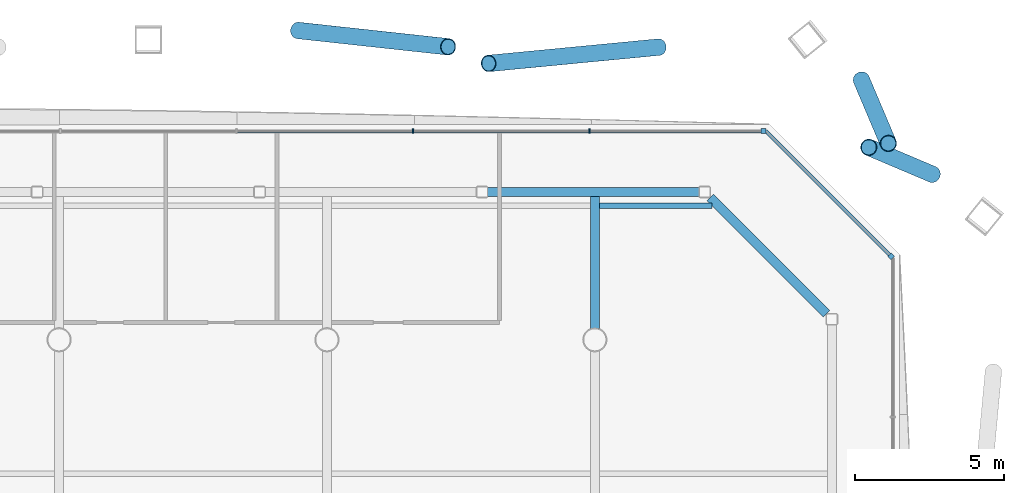
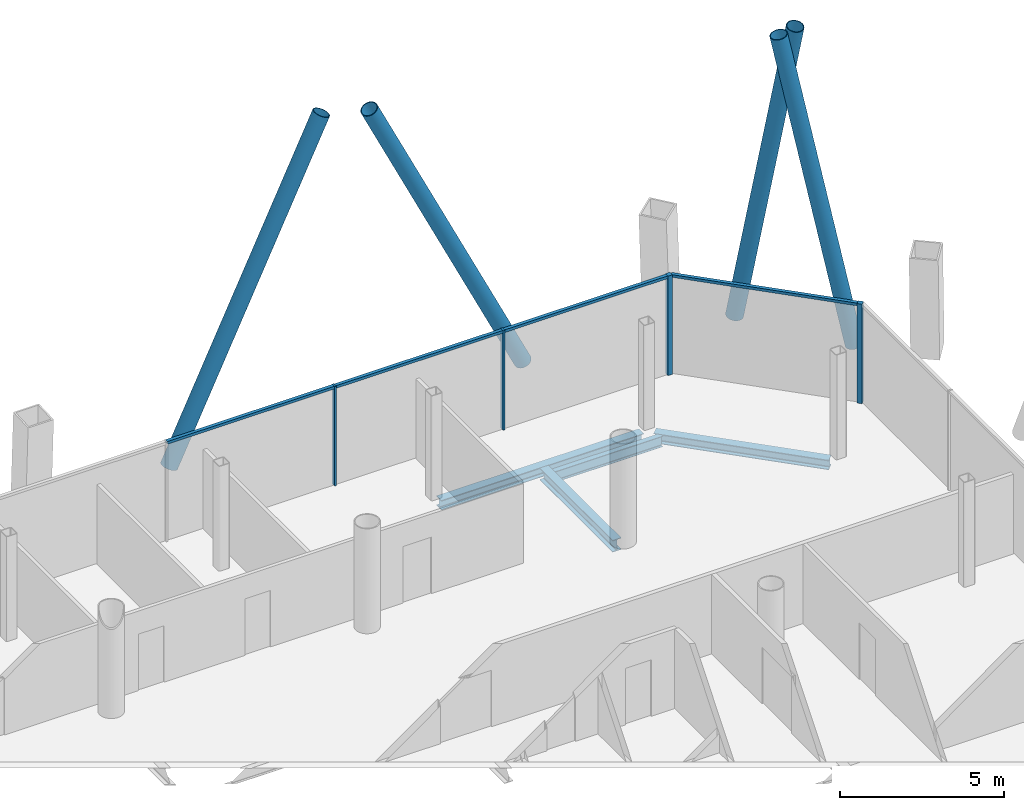
# One storey, part 12 of 22: 12 members, 4 beams, 2 elements without a shape of their own.
"""IFC4 building model written with IfcOpenShell, lengths in metres."""

from ifc_helpers import new_model, si_unit, direction, frame, origin, origin_2d, place, context, subcontext, project, spatial, rectangle, hollow_circle, i_section, extrude, material, material_profile, profile_set, type_object, element, aggregate, save


model = new_model("IFC4")

# Units and contexts
model_context = context("Model", 3, precision=1e-05, world=origin(), true_north=direction((0.0, 1.0)))
body_context = subcontext(model_context, "Body", "Model", "MODEL_VIEW")
ifc_project = project(units=[si_unit("LENGTHUNIT", "METRE"), si_unit("AREAUNIT", "SQUARE_METRE"), si_unit("VOLUMEUNIT", "CUBIC_METRE"), si_unit("PLANEANGLEUNIT", "RADIAN"), si_unit("MASSUNIT", "GRAM", prefix="KILO")], contexts=[model_context])

# Site, building, storey
site_placement = place(None, origin())
site = spatial("IfcSite", under=ifc_project, at=site_placement, CompositionType="ELEMENT")
building_placement = place(site_placement, origin())
building = spatial("IfcBuilding", under=site, at=building_placement, Name="Tskaro Facet Tower", CompositionType="ELEMENT")
storey_placement = place(building_placement, frame((0.0, 0.0, 73.800048828125)))
storey = spatial("IfcBuildingStorey", under=building, at=storey_placement, Name="L17", CompositionType="ELEMENT", Elevation=73.800048828125)

# Members
ifc_material_1 = material(Name="Steel S355J2H", Category="steel")
ifc_material_profile_1 = material_profile(ifc_material_1, hollow_circle(Radius=0.279541015625, WallThickness=0.02490234375, at=origin_2d()), Name="CHS 559x25")
ifc_profile_set_1 = profile_set([ifc_material_profile_1], Name="Steel S355J2H")
member_type_1 = type_object("IfcMemberType", Name="CHS 559x25 brace", PredefinedType="BRACE", material=ifc_profile_set_1)
for number, where, z_axis, x_axis, name in (
    (1, (29.331787109375, 23.5634765625, 0.0), (-0.178546183977, 0.075619078607, 0.98102141421), (-0.389991258471, -0.920818558847, 0.0), "CHS 559x25 XB06A/2"),
    (2, (26.958740234375, 26.72705078125, 0.0), (0.075619078607, -0.178546183977, 0.98102141421), (0.920818558847, 0.389991258471, 0.0), "CHS 559x25 XB06B/2"),
):
    element("IfcMember", number, at=place(storey_placement, frame(where, z_axis=z_axis, x_axis=x_axis)), inside=storey, type_object=member_type_1, Name=name, PredefinedType="BRACE", context=body_context, shape_type="SweptSolid", body=[
        extrude(hollow_circle(Radius=0.279541015625, WallThickness=0.02490234375, at=origin_2d()), origin(), (0.0, 0.0, 1.0), 11.92626953125),
    ])
member_1_placement = place(storey_placement, frame((20.144287109375, 27.83154296875, 0.0), z_axis=(-0.43850367789, -0.042055739784, 0.897744863103), x_axis=(0.095469312995, -0.995432373532, 0.0)))
element("IfcMember", 3, at=member_1_placement, inside=storey, type_object=member_type_1, Name="CHS 559x25 XB07A/2", PredefinedType="BRACE", context=body_context, shape_type="SweptSolid", body=[
    extrude(hollow_circle(Radius=0.279541015625, WallThickness=0.02490234375, at=origin_2d()), origin(), (0.0, 0.0, 1.0), 13.03271484375),
])
member_2_placement = place(storey_placement, frame((8.03515625, 28.390380859375, 0.0), z_axis=(0.394955527228, -0.042971161362, 0.917694726368), x_axis=(0.108161704545, 0.994133313832, 0.0)))
element("IfcMember", 4, at=member_2_placement, inside=storey, type_object=member_type_1, Name="CHS 559x25 XB07B/2", PredefinedType="BRACE", context=body_context, shape_type="SweptSolid", body=[
    extrude(hollow_circle(Radius=0.279541015625, WallThickness=0.02490234375, at=origin_2d()), origin(), (0.0, 0.0, 1.0), 12.749267578125),
])

# Curtain wall, member
ifc_material_2 = material(Name="Bronze anodised aluminium 6063-T6", Category="aluminium")
curtain_wall_type = type_object("IfcCurtainWallType", Name="Bronze office curtain wall (FW1)", PredefinedType="NOTDEFINED", material=ifc_material_2)
curtain_wall_1_placement = place(storey_placement, origin())
curtain_wall_1 = element("IfcCurtainWall", 5, at=curtain_wall_1_placement, inside=storey, type_object=curtain_wall_type, Name="FW1 north-east facet L17", PredefinedType="NOTDEFINED")
ifc_material_profile_2 = material_profile(ifc_material_2, rectangle(XDim=0.159912109375, YDim=0.159912109375, at=origin_2d()), Name="Corner post 160x160")
ifc_profile_set_2 = profile_set([ifc_material_profile_2], Name="Bronze anodised aluminium 6063-T6")
member_type_2 = type_object("IfcMemberType", Name="FW1 bronze corner post 160x160", PredefinedType="MULLION", material=ifc_profile_set_2)
member_3_placement = place(storey_placement, frame((27.954345703125, 20.800537109375, 0.0), z_axis=(0.0, 0.0, 1.0), x_axis=(-0.707106781187, 0.707106781187, 0.0)))
member_3 = element("IfcMember", 6, at=member_3_placement, type_object=member_type_2, Name="FW1 north-east corner post", PredefinedType="MULLION", context=body_context, shape_type="SweptSolid", body=[
    extrude(rectangle(XDim=0.159912109375, YDim=0.159912109375, at=origin_2d()), origin(), (0.0, 0.0, 1.0), 3.699951171875),
])

# Curtain wall, members
curtain_wall_2_placement = place(storey_placement, origin())
curtain_wall_2 = element("IfcCurtainWall", 7, at=curtain_wall_2_placement, inside=storey, type_object=curtain_wall_type, Name="FW1 north facet L17", PredefinedType="NOTDEFINED")
member_4_placement = place(storey_placement, frame((23.6640625, 25.010986328125, 0.0), z_axis=(0.0, 0.0, 1.0), x_axis=(-1.0, 0.0, 0.0)))
member_4 = element("IfcMember", 8, at=member_4_placement, type_object=member_type_2, Name="FW1 north corner post", PredefinedType="MULLION", context=body_context, shape_type="SweptSolid", body=[
    extrude(rectangle(XDim=0.159912109375, YDim=0.159912109375, at=origin_2d()), origin(), (0.0, 0.0, 1.0), 3.699951171875),
])
ifc_material_profile_3 = material_profile(ifc_material_2, rectangle(XDim=0.06005859375, YDim=0.159912109375, at=origin_2d()), Name="Mullion 60x160")
ifc_profile_set_3 = profile_set([ifc_material_profile_3], Name="Bronze anodised aluminium 6063-T6")
member_type_3 = type_object("IfcMemberType", Name="FW1 bronze mullion 60x160", PredefinedType="MULLION", material=ifc_profile_set_3)
member_5_placement = place(storey_placement, frame((17.817138671875, 25.010986328125, 0.0), z_axis=(0.0, 0.0, 1.0), x_axis=(-1.0, 0.0, 0.0)))
member_5 = element("IfcMember", 9, at=member_5_placement, type_object=member_type_3, Name="FW1 north mullion 1", PredefinedType="MULLION", context=body_context, shape_type="SweptSolid", body=[
    extrude(rectangle(XDim=0.06005859375, YDim=0.159912109375, at=origin_2d()), origin(), (0.0, 0.0, 1.0), 3.699951171875),
])
member_6_placement = place(storey_placement, frame((11.890380859375, 25.010986328125, 0.0), z_axis=(0.0, 0.0, 1.0), x_axis=(-1.0, 0.0, 0.0)))
member_6 = element("IfcMember", 10, at=member_6_placement, type_object=member_type_3, Name="FW1 north mullion 2", PredefinedType="MULLION", context=body_context, shape_type="SweptSolid", body=[
    extrude(rectangle(XDim=0.06005859375, YDim=0.159912109375, at=origin_2d()), origin(), (0.0, 0.0, 1.0), 3.699951171875),
])

# Member
ifc_material_profile_4 = material_profile(ifc_material_2, rectangle(XDim=0.1201171875, YDim=0.10009765625, at=origin_2d()), Name="Transom 120x100")
ifc_profile_set_4 = profile_set([ifc_material_profile_4], Name="Bronze anodised aluminium 6063-T6")
member_type_4 = type_object("IfcMemberType", Name="FW1 bronze transom 120x100", PredefinedType="USERDEFINED", material=ifc_profile_set_4)
member_7_placement = place(storey_placement, frame((27.89794921875, 20.857177734375, 3.64990234375), z_axis=(-0.707127560416, 0.707086001347, 0.0), x_axis=(-0.707086001347, -0.707127560416, 0.0)))
member_7 = element("IfcMember", 11, at=member_7_placement, type_object=member_type_4, Name="FW1 north-east transom 1.1", ObjectType="TRANSOM", PredefinedType="USERDEFINED", context=body_context, shape_type="SweptSolid", body=[
    extrude(rectangle(XDim=0.1201171875, YDim=0.10009765625, at=origin_2d()), origin(), (0.0, 0.0, 1.0), 5.87451171875),
])

aggregate(curtain_wall_1, [member_3, member_7])

member_8_placement = place(storey_placement, frame((23.583984375, 25.010986328125, 3.64990234375), z_axis=(-1.0, 0.0, 0.0), x_axis=(0.0, -1.0, 0.0)))
member_8 = element("IfcMember", 12, at=member_8_placement, type_object=member_type_4, Name="FW1 north transom 1.1", ObjectType="TRANSOM", PredefinedType="USERDEFINED", context=body_context, shape_type="SweptSolid", body=[
    extrude(rectangle(XDim=0.1201171875, YDim=0.10009765625, at=origin_2d()), origin(), (0.0, 0.0, 1.0), 5.73681640625),
])

member_9_placement = place(storey_placement, frame((17.787109375, 25.010986328125, 3.64990234375), z_axis=(-1.0, 0.0, 0.0), x_axis=(0.0, -1.0, 0.0)))
member_9 = element("IfcMember", 13, at=member_9_placement, type_object=member_type_4, Name="FW1 north transom 2.1", ObjectType="TRANSOM", PredefinedType="USERDEFINED", context=body_context, shape_type="SweptSolid", body=[
    extrude(rectangle(XDim=0.1201171875, YDim=0.10009765625, at=origin_2d()), origin(), (0.0, 0.0, 1.0), 5.866943359375),
])

member_10_placement = place(storey_placement, frame((11.8603515625, 25.010986328125, 3.64990234375), z_axis=(-1.0, 0.0, 0.0), x_axis=(0.0, -1.0, 0.0)))
member_10 = element("IfcMember", 14, at=member_10_placement, type_object=member_type_4, Name="FW1 north transom 3.1", ObjectType="TRANSOM", PredefinedType="USERDEFINED", context=body_context, shape_type="SweptSolid", body=[
    extrude(rectangle(XDim=0.1201171875, YDim=0.10009765625, at=origin_2d()), origin(), (0.0, 0.0, 1.0), 5.866943359375),
])

aggregate(curtain_wall_2, [member_4, member_5, member_6, member_8, member_9, member_10])

# Beams
ifc_material_3 = material(Name="Steel S355J2", Category="steel")
ifc_material_profile_5 = material_profile(ifc_material_3, i_section(OverallWidth=0.300048828125, OverallDepth=0.360107421875, WebThickness=0.012451171875, FlangeThickness=0.0224609375, FilletRadius=0.027099609375, at=origin_2d()), Name="HE 360 B")
ifc_profile_set_5 = profile_set([ifc_material_profile_5], Name="Steel S355J2")
beam_type_1 = type_object("IfcBeamType", Name="HE 360 B ring beam", PredefinedType="BEAM", material=ifc_profile_set_5)
beam_1_placement = place(storey_placement, frame((25.779052734375, 18.8759765625, -0.320068359375), z_axis=(-0.707106781187, 0.707106781187, 0.0), x_axis=(-0.707106781187, -0.707106781187, 0.0)))
element("IfcBeam", 15, at=beam_1_placement, inside=storey, type_object=beam_type_1, Name="HE 360 B EB12-2", PredefinedType="BEAM", context=body_context, shape_type="SweptSolid", body=[
    extrude(i_section(OverallWidth=0.300048828125, OverallDepth=0.360107421875, WebThickness=0.012451171875, FlangeThickness=0.0224609375, FilletRadius=0.027099609375, at=origin_2d()), origin(), (0.0, 0.0, 1.0), 5.519775390625),
])
beam_2_placement = place(storey_placement, frame((21.510009765625, 22.965087890625, -0.320068359375), z_axis=(-1.0, 0.0, 0.0), x_axis=(0.0, -1.0, 0.0)))
element("IfcBeam", 16, at=beam_2_placement, inside=storey, type_object=beam_type_1, Name="HE 360 B EB13-2", PredefinedType="BEAM", context=body_context, shape_type="SweptSolid", body=[
    extrude(i_section(OverallWidth=0.300048828125, OverallDepth=0.360107421875, WebThickness=0.012451171875, FlangeThickness=0.0224609375, FilletRadius=0.027099609375, at=origin_2d()), origin(), (0.0, 0.0, 1.0), 7.115966796875),
])
ifc_material_profile_6 = material_profile(ifc_material_3, i_section(OverallWidth=0.300048828125, OverallDepth=0.43994140625, WebThickness=0.011474609375, FlangeThickness=0.02099609375, FilletRadius=0.027099609375, at=origin_2d()), Name="HE 450 A")
ifc_profile_set_6 = profile_set([ifc_material_profile_6], Name="Steel S355J2")
beam_type_2 = type_object("IfcBeamType", Name="HE 450 A girder", PredefinedType="BEAM", material=ifc_profile_set_6)
beam_3_placement = place(storey_placement, frame((18.0, 18.37646484375, -0.360107421875), z_axis=(0.0, 1.0, 0.0), x_axis=(-1.0, 0.0, 0.0)))
element("IfcBeam", 17, at=beam_3_placement, inside=storey, type_object=beam_type_2, Name="HE 450 A GB6-6-2", PredefinedType="BEAM", context=body_context, shape_type="SweptSolid", body=[
    extrude(i_section(OverallWidth=0.300048828125, OverallDepth=0.43994140625, WebThickness=0.011474609375, FlangeThickness=0.02099609375, FilletRadius=0.027099609375, at=origin_2d()), origin(), (0.0, 0.0, 1.0), 4.4384765625),
])
ifc_material_profile_7 = material_profile(ifc_material_3, i_section(OverallWidth=0.179931640625, OverallDepth=0.39990234375, WebThickness=0.008544921875, FlangeThickness=0.013427734375, FilletRadius=0.02099609375, at=origin_2d()), Name="IPE 400")
ifc_profile_set_7 = profile_set([ifc_material_profile_7], Name="Steel S355J2")
beam_type_3 = type_object("IfcBeamType", Name="IPE 400 secondary beam", PredefinedType="BEAM", material=ifc_profile_set_7)
beam_4_placement = place(storey_placement, frame((18.14990234375, 22.5, -0.340087890625), z_axis=(1.0, 0.0, 0.0), x_axis=(0.0, 1.0, 0.0)))
element("IfcBeam", 18, at=beam_4_placement, inside=storey, type_object=beam_type_3, Name="IPE 400 SB6a-5-2", PredefinedType="BEAM", context=body_context, shape_type="SweptSolid", body=[
    extrude(i_section(OverallWidth=0.179931640625, OverallDepth=0.39990234375, WebThickness=0.008544921875, FlangeThickness=0.013427734375, FilletRadius=0.02099609375, at=origin_2d()), origin(), (0.0, 0.0, 1.0), 3.793212890625),
])

save(model, "model.ifc")
